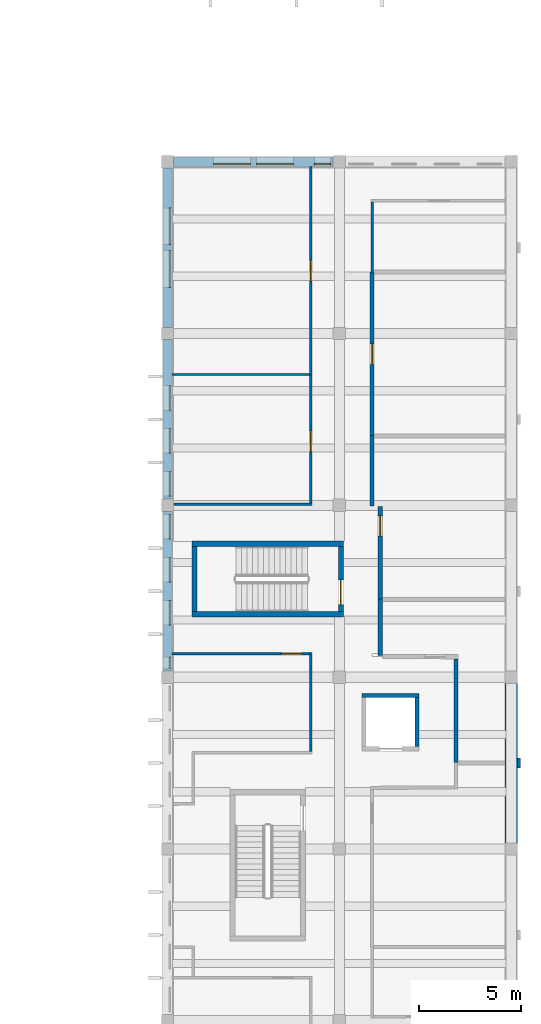
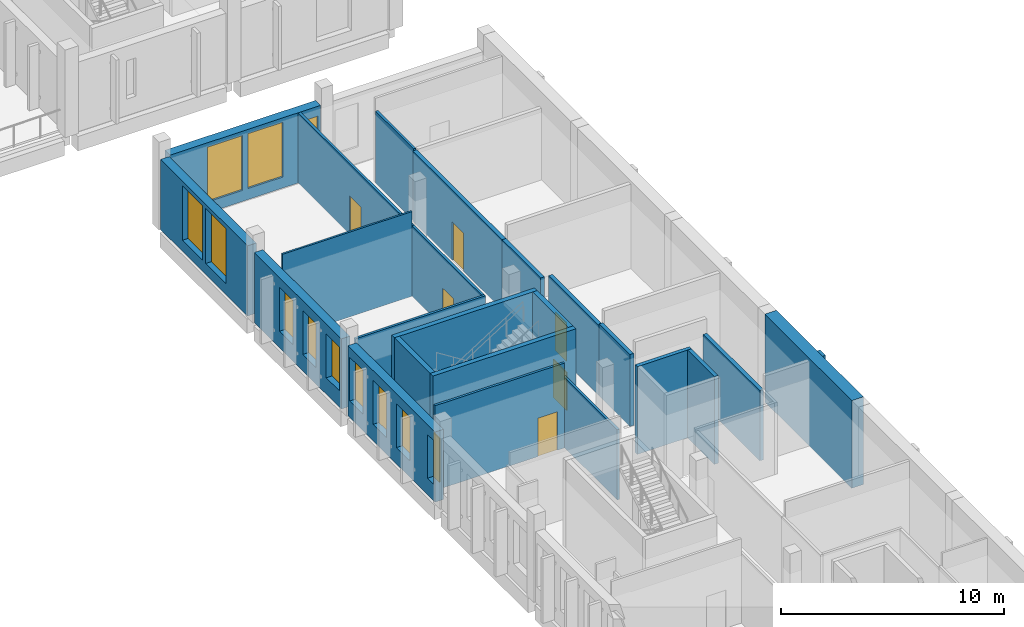
# One storey, part 57 of 103: 24 walls, 12 windows, 6 doors, 18 openings.
"""IFC4 building model written with IfcOpenShell, lengths in metres."""

import ifcopenshell
import ifcopenshell.guid

model = None  # the IFC model being written
_history = None  # IfcOwnerHistory: only IFC2X3 demands one
_inside = {}  # id of a spatial element -> (the spatial element, [elements in it])
_under = {}  # id of a project, library or spatial element -> (it, [spatial elements below it])
_declared = {}  # id of a project -> (the project, [libraries it declares])
_typed = {}  # id of a type object -> (the type object, [elements of that type])
_made_of = {}  # id of a material, layer set ... -> (it, [elements and type objects made of it])


def new_model(schema):
    """Start an empty IFC model of exactly this schema.

    Asked for "IFC4X3", IfcOpenShell would pick the latest addendum, in which some entities
    have other attributes; the version numbers below select the first issue.
    IFC2X3 requires an IfcOwnerHistory on every rooted entity: one is made here for all.
    """
    global model, _history
    if schema == "IFC4X3":
        model = ifcopenshell.file(schema_version=(4, 3, 0, 0))
    else:
        model = ifcopenshell.file(schema=schema)
    _inside.clear()
    _under.clear()
    _declared.clear()
    _typed.clear()
    _made_of.clear()
    _history = None
    if model.schema == "IFC2X3":
        org = make("IfcOrganization", Name="unknown")
        user = make(
            "IfcPersonAndOrganization",
            ThePerson=make("IfcPerson", FamilyName="unknown"),
            TheOrganization=org,
        )
        app = make(
            "IfcApplication",
            ApplicationDeveloper=org,
            Version="unknown",
            ApplicationFullName="unknown",
            ApplicationIdentifier="unknown",
        )
        _history = make(
            "IfcOwnerHistory",
            OwningUser=user,
            OwningApplication=app,
            ChangeAction="ADDED",
            CreationDate=0,
        )
    return model


def make(cls, **values):
    """One entity of the class cls with the attributes given. An attribute that is None is left unset."""
    return model.create_entity(
        cls, **{name: value for name, value in values.items() if value is not None}
    )


def rooted(cls, **values):
    """An entity with a GlobalId (a new one), such as an element, a storey or a relation."""
    return make(cls, GlobalId=ifcopenshell.guid.new(), OwnerHistory=_history, **values)


def si_unit(unit_type, name, prefix=None):
    """IfcSIUnit, for example si_unit("LENGTHUNIT", "METRE", prefix="MILLI")."""
    return make("IfcSIUnit", UnitType=unit_type, Prefix=prefix, Name=name)


def assignment(units):
    """IfcUnitAssignment: the units of a project."""
    return None if units is None else make("IfcUnitAssignment", Units=units)


def point(xyz):
    """IfcCartesianPoint."""
    return None if xyz is None else make("IfcCartesianPoint", Coordinates=xyz)


def direction(xyz):
    """IfcDirection."""
    return None if xyz is None else make("IfcDirection", DirectionRatios=xyz)


def frame(location, z_axis=None, x_axis=None):
    """IfcAxis2Placement3D, a coordinate frame: its origin and axes. An axis left out is left unset."""
    return make(
        "IfcAxis2Placement3D",
        Location=point(location),
        Axis=direction(z_axis),
        RefDirection=direction(x_axis),
    )


def frame_2d(location, x_axis=None):
    """IfcAxis2Placement2D, a coordinate frame in the plane: its origin and x axis."""
    return make(
        "IfcAxis2Placement2D", Location=point(location), RefDirection=direction(x_axis)
    )


def origin():
    """The frame at (0, 0, 0) with its axes left unset."""
    return frame((0.0, 0.0, 0.0))


def place(relative_to, where):
    """IfcLocalPlacement: puts the frame where relative to a parent placement (None: the world)."""
    return make(
        "IfcLocalPlacement", PlacementRelTo=relative_to, RelativePlacement=where
    )


def context(
    kind, dimensions, precision=None, world=None, true_north=None, identifier=None
):
    """IfcGeometricRepresentationContext, for example the 3D "Model" context."""
    return make(
        "IfcGeometricRepresentationContext",
        ContextIdentifier=identifier,
        ContextType=kind,
        CoordinateSpaceDimension=dimensions,
        Precision=precision,
        WorldCoordinateSystem=world,
        TrueNorth=true_north,
    )


def subcontext(parent, identifier, kind, view, scale=None):
    """IfcGeometricRepresentationSubContext, for example "Body" below "Model"."""
    return make(
        "IfcGeometricRepresentationSubContext",
        ContextIdentifier=identifier,
        ContextType=kind,
        ParentContext=parent,
        TargetScale=scale,
        TargetView=view,
    )


def project(units=None, contexts=None):
    """IfcProject with its units and contexts."""
    return rooted(
        "IfcProject",
        Name="project",
        RepresentationContexts=contexts,
        UnitsInContext=assignment(units),
    )


def spatial(cls, under=None, at=None, **own):
    """A site, building, storey or space (cls), placed at a placement, below another one or the project."""
    s = rooted(cls, ObjectPlacement=at, **own)
    if under is not None:
        _under.setdefault(under.id(), (under, []))[1].append(s)
    return s


def profile(cls, at=None, kind="AREA", **sizes):
    """A parametric profile (cls). Its sizes go by their IFC names, for example OverallWidth=200.0."""
    return make(cls, ProfileType=kind, Position=at, **sizes)


def rectangle(**sizes):
    """IfcRectangleProfileDef."""
    return profile("IfcRectangleProfileDef", **sizes)


def extrude(swept, where, along, depth):
    """IfcExtrudedAreaSolid: the profile swept, set in the frame where, extruded along a direction by depth."""
    return make(
        "IfcExtrudedAreaSolid",
        SweptArea=swept,
        Position=where,
        ExtrudedDirection=direction(along),
        Depth=depth,
    )


def shape(context_of_items, identifier, shape_type, items):
    """IfcShapeRepresentation: the items that make up one representation, for example the "Body"."""
    return make(
        "IfcShapeRepresentation",
        ContextOfItems=context_of_items,
        RepresentationIdentifier=identifier,
        RepresentationType=shape_type,
        Items=items,
    )


def material(Name=None, Category=None):
    """IfcMaterial."""
    return make("IfcMaterial", Name=Name, Category=Category)


def layer(
    of_material, thickness, ventilated=None, Name=None, Category=None, Priority=None
):
    """IfcMaterialLayer: one layer of a wall or slab, of a material (None: an air gap)."""
    return make(
        "IfcMaterialLayer",
        Material=of_material,
        LayerThickness=thickness,
        IsVentilated=ventilated,
        Name=Name,
        Category=Category,
        Priority=Priority,
    )


def layer_set(layers, Name=None):
    """IfcMaterialLayerSet."""
    return make("IfcMaterialLayerSet", MaterialLayers=layers, LayerSetName=Name)


def made_of(thing, what):
    """Note that an element or type object is made of a material, layer set ...; save() writes the relation."""
    if what is not None:
        _made_of.setdefault(what.id(), (what, []))[1].append(thing)
    return thing


def type_object(cls, material=None, **own):
    """A type object (cls), such as IfcWallType, which elements share."""
    return made_of(rooted(cls, **own), material)


def element(
    cls,
    number,
    at=None,
    inside=None,
    cuts=None,
    type_object=None,
    material=None,
    context=None,
    identifier="Body",
    shape_type=None,
    held_by="IfcProductDefinitionShape",
    body=None,
    shapes=None,
    **own,
):
    """One element of the class cls, such as IfcWall. Its Tag is "e" and its number.

    at: its placement. inside: the storey or other place that contains it. cuts: it is an
    opening in that element (IfcRelVoidsElement). A single representation is given by context,
    identifier, shape_type and body (its items); several are given by shapes. held_by: the class
    of the entity that holds the representations. save() writes the other relations.
    """
    e = rooted(cls, Tag="e%d" % number, ObjectPlacement=at, **own)
    if body is not None:
        shapes = [shape(context, identifier, shape_type, body)]
    if shapes is not None:
        e.Representation = make(held_by, Representations=shapes)
    if inside is not None:
        _inside.setdefault(inside.id(), (inside, []))[1].append(e)
    if cuts is not None:
        rooted(
            "IfcRelVoidsElement", RelatingBuildingElement=cuts, RelatedOpeningElement=e
        )
    if type_object is not None:
        _typed.setdefault(type_object.id(), (type_object, []))[1].append(e)
    return made_of(e, material)


def fill(opening, filler):
    """IfcRelFillsElement: the door or window that sits in an opening."""
    return rooted(
        "IfcRelFillsElement",
        RelatingOpeningElement=opening,
        RelatedBuildingElement=filler,
    )


def aggregate(whole, parts):
    """IfcRelAggregates: a whole, such as a stair, and the parts it consists of."""
    return rooted("IfcRelAggregates", RelatingObject=whole, RelatedObjects=parts)


def save(model, path):
    """Write the relations noted so far, then the file.

    IfcRelAggregates (storeys below a building ...), IfcRelContainedInSpatialStructure (elements
    in a storey), IfcRelDefinesByType, IfcRelAssociatesMaterial and IfcRelDeclares: one each for
    every whole, place, type object, material and project.
    """
    for whole, parts in _under.values():
        aggregate(whole, parts)
    for where, things in _inside.values():
        rooted(
            "IfcRelContainedInSpatialStructure",
            RelatedElements=things,
            RelatingStructure=where,
        )
    for kind, things in _typed.values():
        rooted("IfcRelDefinesByType", RelatedObjects=things, RelatingType=kind)
    for what, things in _made_of.values():
        rooted("IfcRelAssociatesMaterial", RelatedObjects=things, RelatingMaterial=what)
    for by, libraries in _declared.values():
        rooted("IfcRelDeclares", RelatingContext=by, RelatedDefinitions=libraries)
    model.write(path)


model = new_model("IFC4")

# Units and contexts
model_context = context("Model", 3, precision=1e-05, world=origin(), true_north=direction((0.0, 1.0)))
body_context = subcontext(model_context, "Body", "Model", "MODEL_VIEW")
ifc_project = project(units=[si_unit("LENGTHUNIT", "METRE"), si_unit("AREAUNIT", "SQUARE_METRE"), si_unit("VOLUMEUNIT", "CUBIC_METRE"), si_unit("PLANEANGLEUNIT", "RADIAN"), si_unit("MASSUNIT", "GRAM", prefix="KILO")], contexts=[model_context])

# Site, building, storey
site_placement = place(None, origin())
site = spatial("IfcSite", under=ifc_project, at=site_placement, CompositionType="ELEMENT")
building_placement = place(site_placement, origin())
building = spatial("IfcBuilding", under=site, at=building_placement, Name="Larchfold Concert Hall", CompositionType="ELEMENT")
storey_placement = place(building_placement, frame((0.0, 0.0, 9.60009765625)))
storey = spatial("IfcBuildingStorey", under=building, at=storey_placement, Name="L02", CompositionType="ELEMENT", Elevation=9.60009765625)

# Walls
ifc_material_1 = material(Name="Plasterboard partition on steel studs", Category="steel")
ifc_layer_1 = layer(ifc_material_1, 0.199951171875)
ifc_layer_set_1 = layer_set([ifc_layer_1], Name="Plasterboard partition on steel studs")
wall_type_1 = type_object("IfcWallType", Name="Acoustic partition 200", PredefinedType="PARTITIONING", material=ifc_layer_set_1)
wall_1_placement = place(storey_placement, frame((94.9990234375, 38.02001953125, 0.0), z_axis=(0.0, 0.0, 1.0), x_axis=(0.0, -1.0, 0.0)))
element("IfcWall", 1, at=wall_1_placement, inside=storey, type_object=wall_type_1, Name="Partition IW0038", PredefinedType="PARTITIONING", context=body_context, shape_type="SweptSolid", body=[
    extrude(rectangle(XDim=2.76904296875, YDim=0.199951171875, at=frame_2d((1.384521484375, 0.0))), origin(), (0.0, 0.0, 1.0), 3.939697265625),
])
wall_2_placement = place(storey_placement, frame((98.698974609375, 35.09912109375, 0.0), z_axis=(0.0, 0.0, 1.0), x_axis=(0.0, -1.0, 0.0)))
element("IfcWall", 2, at=wall_2_placement, inside=storey, type_object=wall_type_1, Name="Partition IW0040", PredefinedType="PARTITIONING", context=body_context, shape_type="SweptSolid", body=[
    extrude(rectangle(XDim=5.0791015625, YDim=0.199951171875, at=frame_2d((2.53955078125, 0.0))), origin(), (0.0, 0.0, 1.0), 3.840087890625),
])
wall_3_placement = place(storey_placement, frame((94.59912109375, 46.02001953125, 0.0), z_axis=(0.0, 0.0, 1.0), x_axis=(0.0, -1.0, 0.0)))
element("IfcWall", 3, at=wall_3_placement, inside=storey, type_object=wall_type_1, Name="Partition IW0041", PredefinedType="PARTITIONING", context=body_context, shape_type="SweptSolid", body=[
    extrude(rectangle(XDim=3.4609375, YDim=0.199951171875, at=frame_2d((1.73046875, 0.0))), origin(), (0.0, 0.0, 1.0), 3.840087890625),
])

# Wall, opening, door
wall_4_placement = place(storey_placement, frame((94.9990234375, 42.549072265625, 0.0), z_axis=(0.0, 0.0, 1.0), x_axis=(0.0, -1.0, 0.0)))
wall_4 = element("IfcWall", 4, at=wall_4_placement, inside=storey, type_object=wall_type_1, Name="Partition IW0042", PredefinedType="PARTITIONING", context=body_context, shape_type="SweptSolid", body=[
    extrude(rectangle(XDim=4.529052734375, YDim=0.199951171875, at=frame_2d((2.2646484375, 0.0))), origin(), (0.0, 0.0, 1.0), 3.840087890625),
])
opening_1_placement = place(wall_4_placement, frame((0.45849609375, 0.0, 0.0)))
opening_1 = element("IfcOpeningElement", 5, at=opening_1_placement, cuts=wall_4, Name="Opening D-L02-116", PredefinedType="OPENING", context=body_context, shape_type="SweptSolid", body=[
    extrude(rectangle(XDim=1.0, YDim=2.10009765625, at=frame_2d((0.5, 1.050048828125))), frame((0.0, 0.10986328125, 0.0), z_axis=(0.0, -1.0, 0.0), x_axis=(1.0, 0.0, 0.0)), (0.0, 0.0, 1.0), 0.219970703125),
])
ifc_material_2 = material(Name="Timber door leaf", Category="wood")
door_type_1 = type_object("IfcDoorType", Name="Practice and studio door, acoustic 1000 x 2100 FD30S", OperationType="SINGLE_SWING_LEFT", PredefinedType="DOOR", material=ifc_material_2)
door_1_placement = place(opening_1_placement, origin())
door_1 = element("IfcDoor", 6, at=door_1_placement, inside=storey, type_object=door_type_1, Name="Door D-L02-116", OperationType="SINGLE_SWING_LEFT", OverallHeight=2.10009765625, OverallWidth=1.0, PredefinedType="DOOR", context=body_context, shape_type="SweptSolid", body=[
    extrude(rectangle(XDim=1.0, YDim=2.10009765625, at=frame_2d((0.5, 1.050048828125))), frame((0.0, 0.02490234375, 0.0), z_axis=(0.0, -1.0, 0.0), x_axis=(1.0, 0.0, 0.0)), (0.0, 0.0, 1.0), 0.050048828125),
])
fill(opening_1, door_1)

wall_5_placement = place(storey_placement, frame((94.60009765625, 54.02001953125, 0.0), z_axis=(0.0, 0.0, 1.0), x_axis=(-0.000122070312, -0.999999992549, 0.0)))
wall_5 = element("IfcWall", 7, at=wall_5_placement, inside=storey, type_object=wall_type_1, Name="Partition IW0046", PredefinedType="PARTITIONING", context=body_context, shape_type="SweptSolid", body=[
    extrude(rectangle(XDim=8.0, YDim=0.199951171875, at=frame_2d((4.0, 0.0))), origin(), (0.0, 0.0, 1.0), 3.840087890625),
])
opening_2_placement = place(wall_5_placement, frame((3.529541015625, 0.0, 0.0)))
opening_2 = element("IfcOpeningElement", 8, at=opening_2_placement, cuts=wall_5, Name="Opening D-L02-119", PredefinedType="OPENING", context=body_context, shape_type="SweptSolid", body=[
    extrude(rectangle(XDim=1.0, YDim=2.10009765625, at=frame_2d((0.5, 1.050048828125))), frame((0.0, 0.10986328125, 0.0), z_axis=(0.0, -1.0, 0.0), x_axis=(1.0, 0.0, 0.0)), (0.0, 0.0, 1.0), 0.219970703125),
])
door_2_placement = place(opening_2_placement, origin())
door_2 = element("IfcDoor", 9, at=door_2_placement, inside=storey, type_object=door_type_1, Name="Door D-L02-119", OperationType="SINGLE_SWING_LEFT", OverallHeight=2.10009765625, OverallWidth=1.0, PredefinedType="DOOR", context=body_context, shape_type="SweptSolid", body=[
    extrude(rectangle(XDim=1.0, YDim=2.10009765625, at=frame_2d((0.5, 1.050048828125))), frame((0.0, 0.02490234375, 0.0), z_axis=(0.0, -1.0, 0.0), x_axis=(1.0, 0.0, 0.0)), (0.0, 0.0, 1.0), 0.050048828125),
])
fill(opening_2, door_2)

# Wall
ifc_material_3 = material(Name="Plasterboard partition on steel studs", Category="steel")
ifc_layer_2 = layer(ifc_material_3, 0.125)
ifc_layer_set_2 = layer_set([ifc_layer_2], Name="Plasterboard partition on steel studs")
wall_type_2 = type_object("IfcWallType", Name="Corridor partition 125 EI 60", PredefinedType="PARTITIONING", material=ifc_layer_set_2)
wall_6_placement = place(storey_placement, frame((91.59716796875, 30.5634765625, 0.0), z_axis=(0.0, 0.0, 1.0), x_axis=(0.000806898724, 0.999999674457, 0.0)))
element("IfcWall", 10, at=wall_6_placement, inside=storey, type_object=wall_type_2, Name="Partition IW0036", PredefinedType="PARTITIONING", context=body_context, shape_type="SweptSolid", body=[
    extrude(rectangle(XDim=4.841064453125, YDim=0.125, at=frame_2d((2.42041015625, 0.0))), origin(), (0.0, 0.0, 1.0), 3.840087890625),
])

# Wall, opening, door
wall_7_placement = place(storey_placement, frame((91.53857421875, 35.342041015625, 0.0), z_axis=(0.0, 0.0, 1.0), x_axis=(-0.999999094746, 0.001345551186, 0.0)))
wall_7 = element("IfcWall", 11, at=wall_7_placement, inside=storey, type_object=wall_type_2, Name="Partition IW0037", PredefinedType="PARTITIONING", context=body_context, shape_type="SweptSolid", body=[
    extrude(rectangle(XDim=6.71337890625, YDim=0.125, at=frame_2d((3.356689453125, 0.0))), origin(), (0.0, 0.0, 1.0), 4.639892578125),
])
opening_3_placement = place(wall_7_placement, frame((0.373046875, 0.0, 0.0)))
opening_3 = element("IfcOpeningElement", 12, at=opening_3_placement, cuts=wall_7, Name="Opening D-L02-114", PredefinedType="OPENING", context=body_context, shape_type="SweptSolid", body=[
    extrude(rectangle(XDim=1.0, YDim=2.10009765625, at=frame_2d((0.5, 1.050048828125))), frame((0.0, 0.072509765625, 0.0), z_axis=(0.0, -1.0, 0.0), x_axis=(1.0, 0.0, 0.0)), (0.0, 0.0, 1.0), 0.14501953125),
])
ifc_material_4 = material(Name="Timber door leaf", Category="wood")
door_type_2 = type_object("IfcDoorType", Name="Room door 1000 x 2100 FD30S", OperationType="SINGLE_SWING_LEFT", PredefinedType="DOOR", material=ifc_material_4)
door_3_placement = place(opening_3_placement, origin())
door_3 = element("IfcDoor", 13, at=door_3_placement, inside=storey, type_object=door_type_2, Name="Door D-L02-114", OperationType="SINGLE_SWING_RIGHT", OverallHeight=2.10009765625, OverallWidth=1.0, PredefinedType="DOOR", context=body_context, shape_type="SweptSolid", body=[
    extrude(rectangle(XDim=1.0, YDim=2.10009765625, at=frame_2d((0.5, 1.050048828125))), frame((0.0, 0.02490234375, 0.0), z_axis=(0.0, -1.0, 0.0), x_axis=(1.0, 0.0, 0.0)), (0.0, 0.0, 1.0), 0.050048828125),
])
fill(opening_3, door_3)

wall_8_placement = place(storey_placement, frame((91.60107421875, 48.97998046875, 0.0), z_axis=(0.0, 0.0, 1.0), x_axis=(-9.5790028e-05, 0.999999995412, 0.0)))
wall_8 = element("IfcWall", 14, at=wall_8_placement, inside=storey, type_object=wall_type_2, Name="Partition IW0043", PredefinedType="PARTITIONING", context=body_context, shape_type="SweptSolid", body=[
    extrude(rectangle(XDim=10.19482421875, YDim=0.125, at=frame_2d((5.097412109375, 0.0))), origin(), (0.0, 0.0, 1.0), 3.840087890625),
])
opening_4_placement = place(wall_8_placement, frame((4.579833984375, 0.0, 0.0)))
opening_4 = element("IfcOpeningElement", 15, at=opening_4_placement, cuts=wall_8, Name="Opening D-L02-117", PredefinedType="OPENING", context=body_context, shape_type="SweptSolid", body=[
    extrude(rectangle(XDim=1.0, YDim=2.10009765625, at=frame_2d((0.5, 1.050048828125))), frame((0.0, 0.072509765625, 0.0), z_axis=(0.0, -1.0, 0.0), x_axis=(1.0, 0.0, 0.0)), (0.0, 0.0, 1.0), 0.14501953125),
])
door_4_placement = place(opening_4_placement, origin())
door_4 = element("IfcDoor", 16, at=door_4_placement, inside=storey, type_object=door_type_2, Name="Door D-L02-117", OperationType="SINGLE_SWING_LEFT", OverallHeight=2.10009765625, OverallWidth=1.0, PredefinedType="DOOR", context=body_context, shape_type="SweptSolid", body=[
    extrude(rectangle(XDim=1.0, YDim=2.10009765625, at=frame_2d((0.5, 1.050048828125))), frame((0.0, 0.02490234375, 0.0), z_axis=(0.0, -1.0, 0.0), x_axis=(1.0, 0.0, 0.0)), (0.0, 0.0, 1.0), 0.050048828125),
])
fill(opening_4, door_4)

# Wall
wall_9_placement = place(storey_placement, frame((84.920166015625, 42.64892578125, 0.0), z_axis=(0.0, 0.0, 1.0), x_axis=(0.999999286295, 0.001194742278, 0.0)))
element("IfcWall", 17, at=wall_9_placement, inside=storey, type_object=wall_type_2, Name="Partition IW0044", PredefinedType="PARTITIONING", context=body_context, shape_type="SweptSolid", body=[
    extrude(rectangle(XDim=6.743408203125, YDim=0.125, at=frame_2d((3.37158203125, 0.0))), origin(), (0.0, 0.0, 1.0), 3.840087890625),
])

# Wall, opening, door
wall_10_placement = place(storey_placement, frame((91.60107421875, 42.719482421875, 0.0), z_axis=(0.0, 0.0, 1.0), x_axis=(0.0, 1.0, 0.0)))
wall_10 = element("IfcWall", 18, at=wall_10_placement, inside=storey, type_object=wall_type_2, Name="Partition IW0045", PredefinedType="PARTITIONING", context=body_context, shape_type="SweptSolid", body=[
    extrude(rectangle(XDim=6.260498046875, YDim=0.125, at=frame_2d((3.13037109375, 0.0))), origin(), (0.0, 0.0, 1.0), 3.840087890625),
])
opening_5_placement = place(wall_10_placement, frame((2.51318359375, 0.0, 0.0)))
opening_5 = element("IfcOpeningElement", 19, at=opening_5_placement, cuts=wall_10, Name="Opening D-L02-118", PredefinedType="OPENING", context=body_context, shape_type="SweptSolid", body=[
    extrude(rectangle(XDim=1.0, YDim=2.10009765625, at=frame_2d((0.5, 1.050048828125))), frame((0.0, 0.072509765625, 0.0), z_axis=(0.0, -1.0, 0.0), x_axis=(1.0, 0.0, 0.0)), (0.0, 0.0, 1.0), 0.14501953125),
])
door_5_placement = place(opening_5_placement, origin())
door_5 = element("IfcDoor", 20, at=door_5_placement, inside=storey, type_object=door_type_2, Name="Door D-L02-118", OperationType="SINGLE_SWING_LEFT", OverallHeight=2.10009765625, OverallWidth=1.0, PredefinedType="DOOR", context=body_context, shape_type="SweptSolid", body=[
    extrude(rectangle(XDim=1.0, YDim=2.10009765625, at=frame_2d((0.5, 1.050048828125))), frame((0.0, 0.02490234375, 0.0), z_axis=(0.0, -1.0, 0.0), x_axis=(1.0, 0.0, 0.0)), (0.0, 0.0, 1.0), 0.050048828125),
])
fill(opening_5, door_5)

# Walls
wall_11_placement = place(storey_placement, frame((94.60009765625, 57.428466796875, 0.0), z_axis=(0.0, 0.0, 1.0), x_axis=(0.0, -1.0, 0.0)))
element("IfcWall", 21, at=wall_11_placement, inside=storey, type_object=wall_type_2, Name="Partition IW0048", PredefinedType="PARTITIONING", context=body_context, shape_type="SweptSolid", body=[
    extrude(rectangle(XDim=3.408447265625, YDim=0.125, at=frame_2d((1.7041015625, 0.0))), origin(), (0.0, 0.0, 1.0), 3.939697265625),
])
ifc_material_5 = material(Name="Plasterboard partition on steel studs", Category="steel")
ifc_layer_3 = layer(ifc_material_5, 0.10009765625)
ifc_layer_set_3 = layer_set([ifc_layer_3], Name="Plasterboard partition on steel studs")
wall_type_3 = type_object("IfcWallType", Name="Stud partition 100", PredefinedType="PARTITIONING", material=ifc_layer_set_3)
wall_12_placement = place(storey_placement, frame((91.534912109375, 49.0, 0.0), z_axis=(0.0, 0.0, 1.0), x_axis=(-1.0, 0.0, 0.0)))
element("IfcWall", 22, at=wall_12_placement, inside=storey, type_object=wall_type_3, Name="Partition IW0056", PredefinedType="PARTITIONING", context=body_context, shape_type="SweptSolid", body=[
    extrude(rectangle(XDim=6.709716796875, YDim=0.10009765625, at=frame_2d((3.35498046875, 0.0))), origin(), (0.0, 0.0, 1.0), 4.639892578125),
])
ifc_material_6 = material(Name="Concrete C40/50", Category="concrete")
ifc_layer_4 = layer(ifc_material_6, 0.199951171875)
ifc_layer_set_4 = layer_set([ifc_layer_4], Name="Concrete C40/50")
wall_type_4 = type_object("IfcWallType", Name="Wall RC 200 lift shaft", PredefinedType="SOLIDWALL", material=ifc_layer_set_4)
wall_13_placement = place(storey_placement, frame((94.10009765625, 33.2998046875, 0.0), z_axis=(0.0, 0.0, 1.0), x_axis=(1.0, 0.0, 0.0)))
element("IfcWall", 23, at=wall_13_placement, inside=storey, type_object=wall_type_4, Name="Wall W0156", PredefinedType="SOLIDWALL", context=body_context, shape_type="SweptSolid", body=[
    extrude(rectangle(XDim=2.7998046875, YDim=0.199951171875, at=frame_2d((1.39990234375, 0.0))), origin(), (0.0, 0.0, 1.0), 4.7998046875),
])
wall_14_placement = place(storey_placement, frame((96.7998046875, 30.800048828125, 0.0), z_axis=(0.0, 0.0, 1.0), x_axis=(0.0, 1.0, 0.0)))
element("IfcWall", 24, at=wall_14_placement, inside=storey, type_object=wall_type_4, Name="Wall W0158", PredefinedType="SOLIDWALL", context=body_context, shape_type="SweptSolid", body=[
    extrude(rectangle(XDim=2.39990234375, YDim=0.199951171875, at=frame_2d((1.199951171875, 0.0))), origin(), (0.0, 0.0, 1.0), 4.7998046875),
])
ifc_material_7 = material(Name="Concrete C40/50", Category="concrete")
ifc_layer_5 = layer(ifc_material_7, 0.25)
ifc_layer_set_5 = layer_set([ifc_layer_5], Name="Concrete C40/50")
wall_type_5 = type_object("IfcWallType", Name="Wall RC 250 stair core", PredefinedType="SOLIDWALL", material=ifc_layer_set_5)
for number, where, z_axis, x_axis, name in (
    (25, (85.800048828125, 37.27490234375, 0.0), (0.0, 0.0, 1.0), (1.0, 0.0, 0.0), "Wall W0087"),
    (26, (85.800048828125, 40.72509765625, 0.0), (0.0, 0.0, 1.0), (1.0, 0.0, 0.0), "Wall W0088"),
):
    element("IfcWall", number, at=place(storey_placement, frame(where, z_axis=z_axis, x_axis=x_axis)), inside=storey, type_object=wall_type_5, Name=name, PredefinedType="SOLIDWALL", context=body_context, shape_type="SweptSolid", body=[
        extrude(rectangle(XDim=7.39990234375, YDim=0.25, at=frame_2d((3.699951171875, 0.0))), origin(), (0.0, 0.0, 1.0), 4.7998046875),
    ])
wall_15_placement = place(storey_placement, frame((85.925048828125, 37.39990234375, 0.0), z_axis=(0.0, 0.0, 1.0), x_axis=(0.0, 1.0, 0.0)))
element("IfcWall", 27, at=wall_15_placement, inside=storey, type_object=wall_type_5, Name="Wall W0089", PredefinedType="SOLIDWALL", context=body_context, shape_type="SweptSolid", body=[
    extrude(rectangle(XDim=3.2001953125, YDim=0.25, at=frame_2d((1.60009765625, 0.0))), origin(), (0.0, 0.0, 1.0), 4.7998046875),
])

# Wall, opening, door
wall_16_placement = place(storey_placement, frame((93.074951171875, 37.39990234375, 0.0), z_axis=(0.0, 0.0, 1.0), x_axis=(0.0, 1.0, 0.0)))
wall_16 = element("IfcWall", 28, at=wall_16_placement, inside=storey, type_object=wall_type_5, Name="Wall W0090", PredefinedType="SOLIDWALL", context=body_context, shape_type="SweptSolid", body=[
    extrude(rectangle(XDim=3.2001953125, YDim=0.25, at=frame_2d((1.60009765625, 0.0))), origin(), (0.0, 0.0, 1.0), 4.7998046875),
])
opening_6_placement = place(wall_16_placement, frame((0.35009765625, 0.0, 0.0)))
opening_6 = element("IfcOpeningElement", 29, at=opening_6_placement, cuts=wall_16, Name="Opening D-L02-151", PredefinedType="OPENING", context=body_context, shape_type="SweptSolid", body=[
    extrude(rectangle(XDim=1.199951171875, YDim=2.10009765625, at=frame_2d((0.60009765625, 1.050048828125))), frame((0.0, 0.135009765625, 0.0), z_axis=(0.0, -1.0, 0.0), x_axis=(1.0, 0.0, 0.0)), (0.0, 0.0, 1.0), 0.27001953125),
])
ifc_material_8 = material(Name="Timber door leaf", Category="wood")
door_type_3 = type_object("IfcDoorType", Name="Stair enclosure door pair 1200 x 2100 FD60", OperationType="SINGLE_SWING_LEFT", PredefinedType="DOOR", material=ifc_material_8)
door_6_placement = place(opening_6_placement, origin())
door_6 = element("IfcDoor", 30, at=door_6_placement, inside=storey, type_object=door_type_3, Name="Door D-L02-151", OperationType="DOUBLE_DOOR_SINGLE_SWING", OverallHeight=2.10009765625, OverallWidth=1.199951171875, PredefinedType="DOOR", context=body_context, shape_type="SweptSolid", body=[
    extrude(rectangle(XDim=1.199951171875, YDim=2.10009765625, at=frame_2d((0.60009765625, 1.050048828125))), frame((0.0, 0.02490234375, 0.0), z_axis=(0.0, -1.0, 0.0), x_axis=(1.0, 0.0, 0.0)), (0.0, 0.0, 1.0), 0.050048828125),
])
fill(opening_6, door_6)

# Wall
ifc_material_9 = material(Name="Concrete C40/50", Category="concrete")
ifc_layer_6 = layer(ifc_material_9, 0.60009765625)
ifc_layer_set_6 = layer_set([ifc_layer_6], Name="Concrete C40/50")
wall_type_6 = type_object("IfcWallType", Name="Wall RC 600 party wall", PredefinedType="SOLIDWALL", material=ifc_layer_set_6)
wall_17_placement = place(storey_placement, frame((101.39990234375, 26.10009765625, 0.0), z_axis=(0.0, 0.0, 1.0), x_axis=(0.0, 1.0, 0.0)))
element("IfcWall", 31, at=wall_17_placement, inside=storey, type_object=wall_type_6, Name="Wall W0023", PredefinedType="SOLIDWALL", context=body_context, shape_type="SweptSolid", body=[
    extrude(rectangle(XDim=7.7998046875, YDim=0.60009765625, at=frame_2d((3.89990234375, 0.0))), origin(), (0.0, 0.0, 1.0), 4.7998046875),
])

# Wall, openings, windows
ifc_material_10 = material(Name="White render on mineral wool and block")
ifc_layer_7 = layer(ifc_material_10, 0.449951171875)
ifc_layer_set_7 = layer_set([ifc_layer_7], Name="White render on mineral wool and block")
wall_type_7 = type_object("IfcWallType", Name="White render infill wall 450", PredefinedType="SOLIDWALL", material=ifc_layer_set_7)
wall_18_placement = place(storey_placement, frame((92.699951171875, 59.39990234375, 0.0), z_axis=(0.0, 0.0, 1.0), x_axis=(-1.0, 0.0, 0.0)))
wall_18 = element("IfcWall", 32, at=wall_18_placement, inside=storey, type_object=wall_type_7, Name="Infill wall W5146", PredefinedType="SOLIDWALL", context=body_context, shape_type="SweptSolid", body=[
    extrude(rectangle(XDim=7.7998046875, YDim=0.449951171875, at=frame_2d((3.89990234375, 0.0))), origin(), (0.0, 0.0, 1.0), 3.840087890625),
])
opening_7_placement = place(wall_18_placement, frame((4.050048828125, 0.0, 0.60009765625)))
opening_7 = element("IfcOpeningElement", 33, at=opening_7_placement, cuts=wall_18, Name="Opening WN-L02-069", PredefinedType="OPENING", context=body_context, shape_type="SweptSolid", body=[
    extrude(rectangle(XDim=1.800048828125, YDim=3.0, at=frame_2d((0.89990234375, 1.5))), frame((0.0, 0.23486328125, 0.0), z_axis=(0.0, -1.0, 0.0), x_axis=(1.0, 0.0, 0.0)), (0.0, 0.0, 1.0), 0.469970703125),
])
opening_8_placement = place(wall_18_placement, frame((1.949951171875, 0.0, 0.60009765625)))
opening_8 = element("IfcOpeningElement", 34, at=opening_8_placement, cuts=wall_18, Name="Opening WN-L02-070", PredefinedType="OPENING", context=body_context, shape_type="SweptSolid", body=[
    extrude(rectangle(XDim=1.800048828125, YDim=3.0, at=frame_2d((0.89990234375, 1.5))), frame((0.0, 0.23486328125, 0.0), z_axis=(0.0, -1.0, 0.0), x_axis=(1.0, 0.0, 0.0)), (0.0, 0.0, 1.0), 0.469970703125),
])
opening_9_placement = place(wall_18_placement, frame((0.128173828125, 0.0, 0.89990234375)))
opening_9 = element("IfcOpeningElement", 35, at=opening_9_placement, cuts=wall_18, Name="Opening WN-L02-071", PredefinedType="OPENING", context=body_context, shape_type="SweptSolid", body=[
    extrude(rectangle(XDim=0.800048828125, YDim=2.39990234375, at=frame_2d((0.39990234375, 1.199951171875))), frame((0.0, 0.23486328125, 0.0), z_axis=(0.0, -1.0, 0.0), x_axis=(1.0, 0.0, 0.0)), (0.0, 0.0, 1.0), 0.469970703125),
])
ifc_material_11 = material(Name="Anodised graphite aluminium frame with glass", Category="aluminium")
window_type_1 = type_object("IfcWindowType", Name="Foyer tall window 1800x3000", PartitioningType="DOUBLE_PANEL_VERTICAL", PredefinedType="WINDOW", material=ifc_material_11)
window_1_placement = place(opening_7_placement, origin())
window_1 = element("IfcWindow", 36, at=window_1_placement, inside=storey, type_object=window_type_1, Name="Window WN-L02-069", OverallHeight=3.0, OverallWidth=1.800048828125, PartitioningType="DOUBLE_PANEL_VERTICAL", PredefinedType="WINDOW", context=body_context, shape_type="SweptSolid", body=[
    extrude(rectangle(XDim=1.800048828125, YDim=3.0, at=frame_2d((0.89990234375, 1.5))), frame((0.0, 0.135009765625, 0.0), z_axis=(0.0, -1.0, 0.0), x_axis=(1.0, 0.0, 0.0)), (0.0, 0.0, 1.0), 0.06005859375),
])
fill(opening_7, window_1)
window_2_placement = place(opening_8_placement, origin())
window_2 = element("IfcWindow", 37, at=window_2_placement, inside=storey, type_object=window_type_1, Name="Window WN-L02-070", OverallHeight=3.0, OverallWidth=1.800048828125, PartitioningType="DOUBLE_PANEL_VERTICAL", PredefinedType="WINDOW", context=body_context, shape_type="SweptSolid", body=[
    extrude(rectangle(XDim=1.800048828125, YDim=3.0, at=frame_2d((0.89990234375, 1.5))), frame((0.0, 0.135009765625, 0.0), z_axis=(0.0, -1.0, 0.0), x_axis=(1.0, 0.0, 0.0)), (0.0, 0.0, 1.0), 0.06005859375),
])
fill(opening_8, window_2)
ifc_material_12 = material(Name="Anodised graphite aluminium frame with glass", Category="aluminium")
window_type_2 = type_object("IfcWindowType", Name="Slot window 800x2400", PartitioningType="SINGLE_PANEL", PredefinedType="WINDOW", material=ifc_material_12)
window_3_placement = place(opening_9_placement, origin())
window_3 = element("IfcWindow", 38, at=window_3_placement, inside=storey, type_object=window_type_2, Name="Window WN-L02-071", OverallHeight=2.39990234375, OverallWidth=0.800048828125, PartitioningType="SINGLE_PANEL", PredefinedType="WINDOW", context=body_context, shape_type="SweptSolid", body=[
    extrude(rectangle(XDim=0.800048828125, YDim=2.39990234375, at=frame_2d((0.39990234375, 1.199951171875))), frame((0.0, 0.135009765625, 0.0), z_axis=(0.0, -1.0, 0.0), x_axis=(1.0, 0.0, 0.0)), (0.0, 0.0, 1.0), 0.06005859375),
])
fill(opening_9, window_3)

wall_19_placement = place(storey_placement, frame((84.60009765625, 59.099853515625, 0.0), z_axis=(0.0, 0.0, 1.0), x_axis=(0.0, -1.0, 0.0)))
wall_19 = element("IfcWall", 39, at=wall_19_placement, inside=storey, type_object=wall_type_7, Name="Infill wall W5147", PredefinedType="SOLIDWALL", context=body_context, shape_type="SweptSolid", body=[
    extrude(rectangle(XDim=7.7998046875, YDim=0.449951171875, at=frame_2d((3.89990234375, 0.0))), origin(), (0.0, 0.0, 1.0), 3.840087890625),
])
opening_10_placement = place(wall_19_placement, frame((4.0498046875, 0.0, 0.60009765625)))
opening_10 = element("IfcOpeningElement", 40, at=opening_10_placement, cuts=wall_19, Name="Opening WN-L02-072", PredefinedType="OPENING", context=body_context, shape_type="SweptSolid", body=[
    extrude(rectangle(XDim=1.800048828125, YDim=3.0, at=frame_2d((0.89990234375, 1.5))), frame((0.0, 0.23486328125, 0.0), z_axis=(0.0, -1.0, 0.0), x_axis=(1.0, 0.0, 0.0)), (0.0, 0.0, 1.0), 0.469970703125),
])
opening_11_placement = place(wall_19_placement, frame((1.949951171875, 0.0, 0.60009765625)))
opening_11 = element("IfcOpeningElement", 41, at=opening_11_placement, cuts=wall_19, Name="Opening WN-L02-073", PredefinedType="OPENING", context=body_context, shape_type="SweptSolid", body=[
    extrude(rectangle(XDim=1.800048828125, YDim=3.0, at=frame_2d((0.89990234375, 1.5))), frame((0.0, 0.23486328125, 0.0), z_axis=(0.0, -1.0, 0.0), x_axis=(1.0, 0.0, 0.0)), (0.0, 0.0, 1.0), 0.469970703125),
])
window_4_placement = place(opening_10_placement, origin())
window_4 = element("IfcWindow", 42, at=window_4_placement, inside=storey, type_object=window_type_1, Name="Window WN-L02-072", OverallHeight=3.0, OverallWidth=1.800048828125, PartitioningType="DOUBLE_PANEL_VERTICAL", PredefinedType="WINDOW", context=body_context, shape_type="SweptSolid", body=[
    extrude(rectangle(XDim=1.800048828125, YDim=3.0, at=frame_2d((0.89990234375, 1.5))), frame((0.0, 0.135009765625, 0.0), z_axis=(0.0, -1.0, 0.0), x_axis=(1.0, 0.0, 0.0)), (0.0, 0.0, 1.0), 0.06005859375),
])
fill(opening_10, window_4)
window_5_placement = place(opening_11_placement, origin())
window_5 = element("IfcWindow", 43, at=window_5_placement, inside=storey, type_object=window_type_1, Name="Window WN-L02-073", OverallHeight=3.0, OverallWidth=1.800048828125, PartitioningType="DOUBLE_PANEL_VERTICAL", PredefinedType="WINDOW", context=body_context, shape_type="SweptSolid", body=[
    extrude(rectangle(XDim=1.800048828125, YDim=3.0, at=frame_2d((0.89990234375, 1.5))), frame((0.0, 0.135009765625, 0.0), z_axis=(0.0, -1.0, 0.0), x_axis=(1.0, 0.0, 0.0)), (0.0, 0.0, 1.0), 0.06005859375),
])
fill(opening_11, window_5)

wall_20_placement = place(storey_placement, frame((84.60009765625, 50.699951171875, 0.0), z_axis=(0.0, 0.0, 1.0), x_axis=(0.0, -1.0, 0.0)))
wall_20 = element("IfcWall", 44, at=wall_20_placement, inside=storey, type_object=wall_type_7, Name="Infill wall W5148", PredefinedType="SOLIDWALL", context=body_context, shape_type="SweptSolid", body=[
    extrude(rectangle(XDim=7.7998046875, YDim=0.449951171875, at=frame_2d((3.89990234375, 0.0))), origin(), (0.0, 0.0, 1.0), 3.840087890625),
])
opening_12_placement = place(wall_20_placement, frame((6.449951171875, 0.0, 0.89990234375)))
opening_12 = element("IfcOpeningElement", 45, at=opening_12_placement, cuts=wall_20, Name="Opening WN-L02-074", PredefinedType="OPENING", context=body_context, shape_type="SweptSolid", body=[
    extrude(rectangle(XDim=1.199951171875, YDim=2.39990234375, at=frame_2d((0.60009765625, 1.199951171875))), frame((0.0, 0.23486328125, 0.0), z_axis=(0.0, -1.0, 0.0), x_axis=(1.0, 0.0, 0.0)), (0.0, 0.0, 1.0), 0.469970703125),
])
opening_13_placement = place(wall_20_placement, frame((4.349853515625, 0.0, 0.89990234375)))
opening_13 = element("IfcOpeningElement", 46, at=opening_13_placement, cuts=wall_20, Name="Opening WN-L02-075", PredefinedType="OPENING", context=body_context, shape_type="SweptSolid", body=[
    extrude(rectangle(XDim=1.199951171875, YDim=2.39990234375, at=frame_2d((0.60009765625, 1.199951171875))), frame((0.0, 0.23486328125, 0.0), z_axis=(0.0, -1.0, 0.0), x_axis=(1.0, 0.0, 0.0)), (0.0, 0.0, 1.0), 0.469970703125),
])
opening_14_placement = place(wall_20_placement, frame((2.25, 0.0, 0.89990234375)))
opening_14 = element("IfcOpeningElement", 47, at=opening_14_placement, cuts=wall_20, Name="Opening WN-L02-076", PredefinedType="OPENING", context=body_context, shape_type="SweptSolid", body=[
    extrude(rectangle(XDim=1.199951171875, YDim=2.39990234375, at=frame_2d((0.60009765625, 1.199951171875))), frame((0.0, 0.23486328125, 0.0), z_axis=(0.0, -1.0, 0.0), x_axis=(1.0, 0.0, 0.0)), (0.0, 0.0, 1.0), 0.469970703125),
])
ifc_material_13 = material(Name="Anodised graphite aluminium frame with glass", Category="aluminium")
window_type_3 = type_object("IfcWindowType", Name="Slot window 1200x2400", PartitioningType="SINGLE_PANEL", PredefinedType="WINDOW", material=ifc_material_13)
window_6_placement = place(opening_12_placement, origin())
window_6 = element("IfcWindow", 48, at=window_6_placement, inside=storey, type_object=window_type_3, Name="Window WN-L02-074", OverallHeight=2.39990234375, OverallWidth=1.199951171875, PartitioningType="SINGLE_PANEL", PredefinedType="WINDOW", context=body_context, shape_type="SweptSolid", body=[
    extrude(rectangle(XDim=1.199951171875, YDim=2.39990234375, at=frame_2d((0.60009765625, 1.199951171875))), frame((0.0, 0.135009765625, 0.0), z_axis=(0.0, -1.0, 0.0), x_axis=(1.0, 0.0, 0.0)), (0.0, 0.0, 1.0), 0.06005859375),
])
fill(opening_12, window_6)
window_7_placement = place(opening_13_placement, origin())
window_7 = element("IfcWindow", 49, at=window_7_placement, inside=storey, type_object=window_type_3, Name="Window WN-L02-075", OverallHeight=2.39990234375, OverallWidth=1.199951171875, PartitioningType="SINGLE_PANEL", PredefinedType="WINDOW", context=body_context, shape_type="SweptSolid", body=[
    extrude(rectangle(XDim=1.199951171875, YDim=2.39990234375, at=frame_2d((0.60009765625, 1.199951171875))), frame((0.0, 0.135009765625, 0.0), z_axis=(0.0, -1.0, 0.0), x_axis=(1.0, 0.0, 0.0)), (0.0, 0.0, 1.0), 0.06005859375),
])
fill(opening_13, window_7)
window_8_placement = place(opening_14_placement, origin())
window_8 = element("IfcWindow", 50, at=window_8_placement, inside=storey, type_object=window_type_3, Name="Window WN-L02-076", OverallHeight=2.39990234375, OverallWidth=1.199951171875, PartitioningType="SINGLE_PANEL", PredefinedType="WINDOW", context=body_context, shape_type="SweptSolid", body=[
    extrude(rectangle(XDim=1.199951171875, YDim=2.39990234375, at=frame_2d((0.60009765625, 1.199951171875))), frame((0.0, 0.135009765625, 0.0), z_axis=(0.0, -1.0, 0.0), x_axis=(1.0, 0.0, 0.0)), (0.0, 0.0, 1.0), 0.06005859375),
])
fill(opening_14, window_8)

wall_21_placement = place(storey_placement, frame((84.60009765625, 42.300048828125, 0.0), z_axis=(0.0, 0.0, 1.0), x_axis=(0.0, -1.0, 0.0)))
wall_21 = element("IfcWall", 51, at=wall_21_placement, inside=storey, type_object=wall_type_7, Name="Infill wall W5149", PredefinedType="SOLIDWALL", context=body_context, shape_type="SweptSolid", body=[
    extrude(rectangle(XDim=7.800048828125, YDim=0.449951171875, at=frame_2d((3.89990234375, 0.0))), origin(), (0.0, 0.0, 1.0), 3.840087890625),
])
opening_15_placement = place(wall_21_placement, frame((7.125244140625, 0.0, 0.89990234375)))
opening_15 = element("IfcOpeningElement", 52, at=opening_15_placement, cuts=wall_21, Name="Opening WN-L02-077", PredefinedType="OPENING", context=body_context, shape_type="SweptSolid", body=[
    extrude(rectangle(XDim=0.550048828125, YDim=2.39990234375, at=frame_2d((0.27490234375, 1.199951171875))), frame((0.0, 0.23486328125, 0.0), z_axis=(0.0, -1.0, 0.0), x_axis=(1.0, 0.0, 0.0)), (0.0, 0.0, 1.0), 0.469970703125),
])
opening_16_placement = place(wall_21_placement, frame((4.35009765625, 0.0, 0.89990234375)))
opening_16 = element("IfcOpeningElement", 53, at=opening_16_placement, cuts=wall_21, Name="Opening WN-L02-078", PredefinedType="OPENING", context=body_context, shape_type="SweptSolid", body=[
    extrude(rectangle(XDim=1.199951171875, YDim=2.39990234375, at=frame_2d((0.60009765625, 1.199951171875))), frame((0.0, 0.23486328125, 0.0), z_axis=(0.0, -1.0, 0.0), x_axis=(1.0, 0.0, 0.0)), (0.0, 0.0, 1.0), 0.469970703125),
])
opening_17_placement = place(wall_21_placement, frame((2.25, 0.0, 0.89990234375)))
opening_17 = element("IfcOpeningElement", 54, at=opening_17_placement, cuts=wall_21, Name="Opening WN-L02-079", PredefinedType="OPENING", context=body_context, shape_type="SweptSolid", body=[
    extrude(rectangle(XDim=1.199951171875, YDim=2.39990234375, at=frame_2d((0.60009765625, 1.199951171875))), frame((0.0, 0.23486328125, 0.0), z_axis=(0.0, -1.0, 0.0), x_axis=(1.0, 0.0, 0.0)), (0.0, 0.0, 1.0), 0.469970703125),
])
opening_18_placement = place(wall_21_placement, frame((0.150146484375, 0.0, 0.89990234375)))
opening_18 = element("IfcOpeningElement", 55, at=opening_18_placement, cuts=wall_21, Name="Opening WN-L02-080", PredefinedType="OPENING", context=body_context, shape_type="SweptSolid", body=[
    extrude(rectangle(XDim=1.199951171875, YDim=2.39990234375, at=frame_2d((0.60009765625, 1.199951171875))), frame((0.0, 0.23486328125, 0.0), z_axis=(0.0, -1.0, 0.0), x_axis=(1.0, 0.0, 0.0)), (0.0, 0.0, 1.0), 0.469970703125),
])
window_9_placement = place(opening_16_placement, origin())
window_9 = element("IfcWindow", 56, at=window_9_placement, inside=storey, type_object=window_type_3, Name="Window WN-L02-078", OverallHeight=2.39990234375, OverallWidth=1.199951171875, PartitioningType="SINGLE_PANEL", PredefinedType="WINDOW", context=body_context, shape_type="SweptSolid", body=[
    extrude(rectangle(XDim=1.199951171875, YDim=2.39990234375, at=frame_2d((0.60009765625, 1.199951171875))), frame((0.0, 0.135009765625, 0.0), z_axis=(0.0, -1.0, 0.0), x_axis=(1.0, 0.0, 0.0)), (0.0, 0.0, 1.0), 0.06005859375),
])
fill(opening_16, window_9)
window_10_placement = place(opening_17_placement, origin())
window_10 = element("IfcWindow", 57, at=window_10_placement, inside=storey, type_object=window_type_3, Name="Window WN-L02-079", OverallHeight=2.39990234375, OverallWidth=1.199951171875, PartitioningType="SINGLE_PANEL", PredefinedType="WINDOW", context=body_context, shape_type="SweptSolid", body=[
    extrude(rectangle(XDim=1.199951171875, YDim=2.39990234375, at=frame_2d((0.60009765625, 1.199951171875))), frame((0.0, 0.135009765625, 0.0), z_axis=(0.0, -1.0, 0.0), x_axis=(1.0, 0.0, 0.0)), (0.0, 0.0, 1.0), 0.06005859375),
])
fill(opening_17, window_10)
window_11_placement = place(opening_18_placement, origin())
window_11 = element("IfcWindow", 58, at=window_11_placement, inside=storey, type_object=window_type_3, Name="Window WN-L02-080", OverallHeight=2.39990234375, OverallWidth=1.199951171875, PartitioningType="SINGLE_PANEL", PredefinedType="WINDOW", context=body_context, shape_type="SweptSolid", body=[
    extrude(rectangle(XDim=1.199951171875, YDim=2.39990234375, at=frame_2d((0.60009765625, 1.199951171875))), frame((0.0, 0.135009765625, 0.0), z_axis=(0.0, -1.0, 0.0), x_axis=(1.0, 0.0, 0.0)), (0.0, 0.0, 1.0), 0.06005859375),
])
fill(opening_18, window_11)
ifc_material_14 = material(Name="Anodised graphite aluminium frame with glass", Category="aluminium")
window_type_4 = type_object("IfcWindowType", Name="Slot window 550x2400", PartitioningType="SINGLE_PANEL", PredefinedType="WINDOW", material=ifc_material_14)
window_12_placement = place(opening_15_placement, origin())
window_12 = element("IfcWindow", 59, at=window_12_placement, inside=storey, type_object=window_type_4, Name="Window WN-L02-077", OverallHeight=2.39990234375, OverallWidth=0.550048828125, PartitioningType="SINGLE_PANEL", PredefinedType="WINDOW", context=body_context, shape_type="SweptSolid", body=[
    extrude(rectangle(XDim=0.550048828125, YDim=2.39990234375, at=frame_2d((0.27490234375, 1.199951171875))), frame((0.0, 0.135009765625, 0.0), z_axis=(0.0, -1.0, 0.0), x_axis=(1.0, 0.0, 0.0)), (0.0, 0.0, 1.0), 0.06005859375),
])
fill(opening_15, window_12)

# Wall
ifc_material_15 = material(Name="White render on insulated block")
ifc_layer_8 = layer(ifc_material_15, 0.14990234375)
ifc_layer_set_8 = layer_set([ifc_layer_8], Name="White render on insulated block")
wall_type_8 = type_object("IfcWallType", Name="White render pilaster 150", PredefinedType="SOLIDWALL", material=ifc_layer_set_8)
wall_22_placement = place(storey_placement, frame((101.77490234375, 29.75, 0.0), z_axis=(0.0, 0.0, 1.0), x_axis=(0.0, 1.0, 0.0)))
element("IfcWall", 60, at=wall_22_placement, inside=storey, type_object=wall_type_8, Name="Pilaster W5355", PredefinedType="SOLIDWALL", context=body_context, shape_type="SweptSolid", body=[
    extrude(rectangle(XDim=0.5, YDim=0.14990234375, at=frame_2d((0.25, 0.0))), origin(), (0.0, 0.0, 1.0), 4.7998046875),
])

save(model, "model.ifc")
